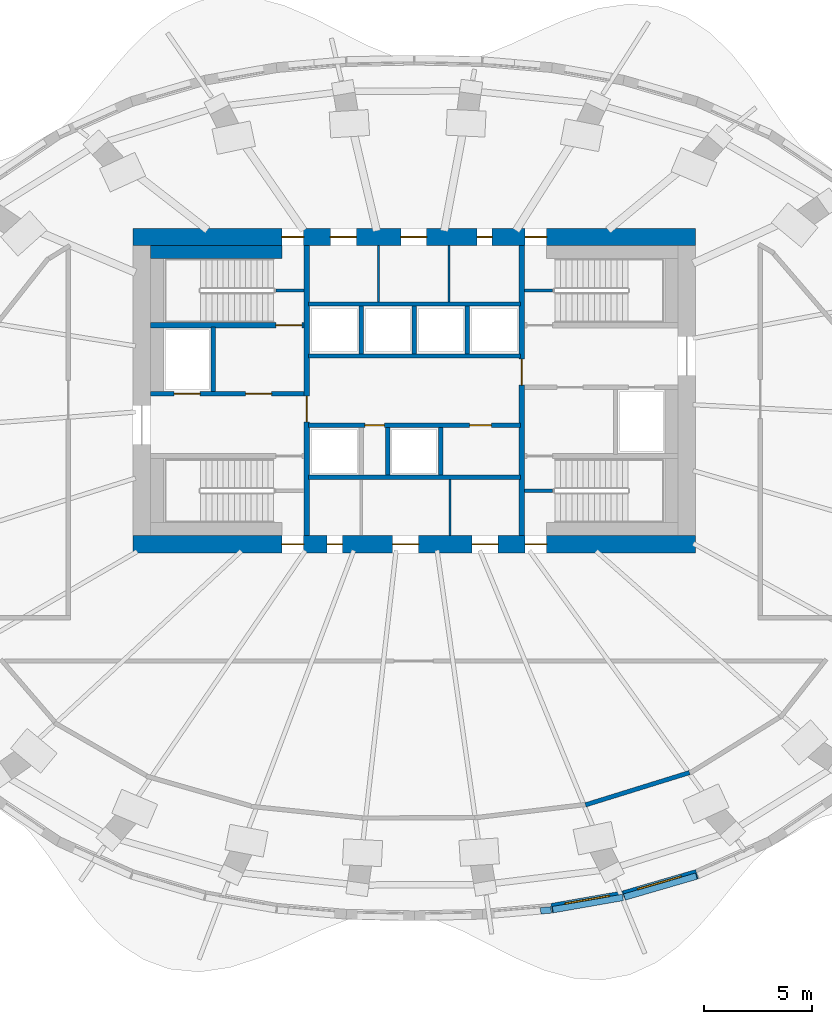
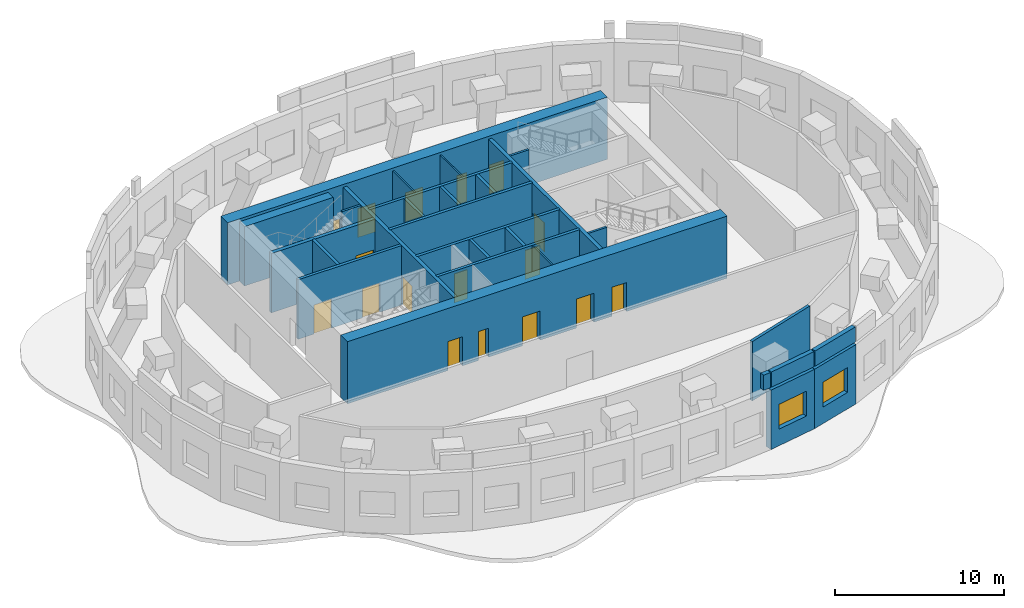
# One storey, part 5 of 9: 29 walls, 17 doors, 2 windows, 19 openings.
"""IFC4 building model written with IfcOpenShell, lengths in metres."""

from ifc_helpers import new_model, si_unit, direction, frame, frame_2d, origin, place, context, subcontext, project, spatial, rectangle, extrude, material, layer, layer_set, type_object, element, fill, save


model = new_model("IFC4")

# Units and contexts
model_context = context("Model", 3, precision=1e-05, world=origin(), true_north=direction((0.0, 1.0)))
body_context = subcontext(model_context, "Body", "Model", "MODEL_VIEW")
ifc_project = project(units=[si_unit("LENGTHUNIT", "METRE"), si_unit("AREAUNIT", "SQUARE_METRE"), si_unit("VOLUMEUNIT", "CUBIC_METRE"), si_unit("PLANEANGLEUNIT", "RADIAN"), si_unit("MASSUNIT", "GRAM", prefix="KILO")], contexts=[model_context])

# Site, building, storey
site_placement = place(None, origin())
site = spatial("IfcSite", under=ifc_project, at=site_placement, CompositionType="ELEMENT")
building_placement = place(site_placement, origin())
building = spatial("IfcBuilding", under=site, at=building_placement, Name="Rubra Terraces Tower", CompositionType="ELEMENT")
storey_placement = place(building_placement, frame((0.0, 0.0, 264.300048828125)))
storey = spatial("IfcBuildingStorey", under=building, at=storey_placement, Name="L65", CompositionType="ELEMENT", Elevation=264.300048828125)

# Wall, opening, window
ifc_material_1 = material(Name="Brick masonry red-brown", Category="masonry")
ifc_layer_1 = layer(ifc_material_1, 0.449951171875)
ifc_layer_set_1 = layer_set([ifc_layer_1], Name="Brick masonry red-brown")
wall_type_1 = type_object("IfcWallType", Name="Brick facade wall 450", PredefinedType="SOLIDWALL", material=ifc_layer_set_1)
wall_1_placement = place(storey_placement, frame((6.34619140625, -19.430419921875, 0.0), z_axis=(0.0, 0.0, 1.0), x_axis=(0.984975558514, 0.172693801654, 0.0)))
wall_1 = element("IfcWall", 1, at=wall_1_placement, inside=storey, type_object=wall_type_1, Name="Facade wall L65 bay 33", PredefinedType="SOLIDWALL", context=body_context, shape_type="SweptSolid", body=[
    extrude(rectangle(XDim=3.381591796875, YDim=0.449951171875, at=frame_2d((1.69091796875, 0.0))), origin(), (0.0, 0.0, 1.0), 4.300048828125),
])
opening_1_placement = place(wall_1_placement, frame((0.640869140625, 0.0, 1.199951171875)))
opening_1 = element("IfcOpeningElement", 2, at=opening_1_placement, cuts=wall_1, Name="Opening W4", PredefinedType="OPENING", context=body_context, shape_type="SweptSolid", body=[
    extrude(rectangle(XDim=2.10009765625, YDim=1.800048828125, at=frame_2d((1.050048828125, 0.89990234375))), frame((0.0, 0.23486328125, 0.0), z_axis=(0.0, -1.0, 0.0), x_axis=(1.0, 0.0, 0.0)), (0.0, 0.0, 1.0), 0.469970703125),
])
ifc_material_2 = material(Name="Clear glass in aluminium frame", Category="aluminium")
window_type = type_object("IfcWindowType", Name="Louvred plant window 2100 x 1800", PartitioningType="SINGLE_PANEL", PredefinedType="WINDOW", material=ifc_material_2)
window_1_placement = place(opening_1_placement, origin())
window_1 = element("IfcWindow", 3, at=window_1_placement, inside=storey, type_object=window_type, Name="Window L65 bay 33", OverallHeight=1.800048828125, OverallWidth=2.10009765625, PartitioningType="SINGLE_PANEL", PredefinedType="WINDOW", context=body_context, shape_type="SweptSolid", body=[
    extrude(rectangle(XDim=2.10009765625, YDim=1.800048828125, at=frame_2d((1.050048828125, 0.89990234375))), frame((0.0, 0.135009765625, 0.0), z_axis=(0.0, -1.0, 0.0), x_axis=(1.0, 0.0, 0.0)), (0.0, 0.0, 1.0), 0.06005859375),
])
fill(opening_1, window_1)

wall_2_placement = place(storey_placement, frame((9.653076171875, -18.85205078125, 0.0), z_axis=(0.0, 0.0, 1.0), x_axis=(0.96014440171, 0.27950443264, 0.0)))
wall_2 = element("IfcWall", 4, at=wall_2_placement, inside=storey, type_object=wall_type_1, Name="Facade wall L65 bay 34", PredefinedType="SOLIDWALL", context=body_context, shape_type="SweptSolid", body=[
    extrude(rectangle(XDim=3.556884765625, YDim=0.449951171875, at=frame_2d((1.7783203125, 0.0))), origin(), (0.0, 0.0, 1.0), 4.300048828125),
])
opening_2_placement = place(wall_2_placement, frame((0.728515625, 0.0, 1.199951171875)))
opening_2 = element("IfcOpeningElement", 5, at=opening_2_placement, cuts=wall_2, Name="Opening W4", PredefinedType="OPENING", context=body_context, shape_type="SweptSolid", body=[
    extrude(rectangle(XDim=2.10009765625, YDim=1.800048828125, at=frame_2d((1.050048828125, 0.89990234375))), frame((0.0, 0.23486328125, 0.0), z_axis=(0.0, -1.0, 0.0), x_axis=(1.0, 0.0, 0.0)), (0.0, 0.0, 1.0), 0.469970703125),
])
window_2_placement = place(opening_2_placement, origin())
window_2 = element("IfcWindow", 6, at=window_2_placement, inside=storey, type_object=window_type, Name="Window L65 bay 34", OverallHeight=1.800048828125, OverallWidth=2.10009765625, PartitioningType="SINGLE_PANEL", PredefinedType="WINDOW", context=body_context, shape_type="SweptSolid", body=[
    extrude(rectangle(XDim=2.10009765625, YDim=1.800048828125, at=frame_2d((1.050048828125, 0.89990234375))), frame((0.0, 0.135009765625, 0.0), z_axis=(0.0, -1.0, 0.0), x_axis=(1.0, 0.0, 0.0)), (0.0, 0.0, 1.0), 0.06005859375),
])
fill(opening_2, window_2)

# Walls
ifc_layer_2 = layer(ifc_material_1, 0.300048828125)
ifc_layer_set_2 = layer_set([ifc_layer_2], Name="Brick masonry red-brown")
wall_type_2 = type_object("IfcWallType", Name="Brick parapet 300", PredefinedType="PARAPET", material=ifc_layer_set_2)
wall_3_placement = place(storey_placement, frame((5.841796875, -19.548583984375, 4.5), z_axis=(0.0, 0.0, 1.0), x_axis=(0.996264896687, 0.086349612789, 0.0)))
element("IfcWall", 7, at=wall_3_placement, inside=storey, type_object=wall_type_2, Name="Parapet L65 bay 32", PredefinedType="PARAPET", context=body_context, shape_type="SweptSolid", body=[
    extrude(rectangle(XDim=0.489013671875, YDim=0.300048828125, at=frame_2d((0.24462890625, 0.0))), origin(), (0.0, 0.0, 1.0), 1.099853515625),
])
wall_4_placement = place(storey_placement, frame((6.401611328125, -19.496826171875, 4.5), z_axis=(0.0, 0.0, 1.0), x_axis=(0.984971857125, 0.172714911553, 0.0)))
element("IfcWall", 8, at=wall_4_placement, inside=storey, type_object=wall_type_2, Name="Parapet L65 bay 33", PredefinedType="PARAPET", context=body_context, shape_type="SweptSolid", body=[
    extrude(rectangle(XDim=3.292236328125, YDim=0.300048828125, at=frame_2d((1.64599609375, 0.0))), origin(), (0.0, 0.0, 1.0), 1.099853515625),
])
wall_5_placement = place(storey_placement, frame((9.71875, -18.910888671875, 4.5), z_axis=(0.0, 0.0, 1.0), x_axis=(0.960153987317, 0.279471502372, 0.0)))
element("IfcWall", 9, at=wall_5_placement, inside=storey, type_object=wall_type_2, Name="Parapet L65 bay 34", PredefinedType="PARAPET", context=body_context, shape_type="SweptSolid", body=[
    extrude(rectangle(XDim=3.45947265625, YDim=0.300048828125, at=frame_2d((1.729736328125, 0.0))), origin(), (0.0, 0.0, 1.0), 1.099853515625),
])

# Wall, openings, doors
ifc_material_3 = material(Name="Concrete C50", Category="concrete")
ifc_layer_3 = layer(ifc_material_3, 0.800048828125)
ifc_layer_set_3 = layer_set([ifc_layer_3], Name="Concrete C50")
wall_type_3 = type_object("IfcWallType", Name="CORE WALL 800 C50", PredefinedType="SHEAR", material=ifc_layer_set_3)
wall_6_placement = place(storey_placement, frame((-13.0, 11.60009765625, 0.0), z_axis=(0.0, 0.0, 1.0), x_axis=(1.0, 0.0, 0.0)))
wall_6 = element("IfcWall", 10, at=wall_6_placement, inside=storey, type_object=wall_type_3, Name="CORE WALL N L65", PredefinedType="SHEAR", context=body_context, shape_type="SweptSolid", body=[
    extrude(rectangle(XDim=26.0, YDim=0.800048828125, at=frame_2d((13.0, 0.0))), origin(), (0.0, 0.0, 1.0), 4.5),
])
opening_3_placement = place(wall_6_placement, frame((9.125, 0.0, 0.0)))
opening_3 = element("IfcOpeningElement", 11, at=opening_3_placement, cuts=wall_6, Name="Opening L65.C18", PredefinedType="OPENING", context=body_context, shape_type="SweptSolid", body=[
    extrude(rectangle(XDim=1.199951171875, YDim=2.10009765625, at=frame_2d((0.60009765625, 1.050048828125))), frame((0.0, 0.409912109375, 0.0), z_axis=(0.0, -1.0, 0.0), x_axis=(1.0, 0.0, 0.0)), (0.0, 0.0, 1.0), 0.820068359375),
])
opening_4_placement = place(wall_6_placement, frame((12.375, 0.0, 0.0)))
opening_4 = element("IfcOpeningElement", 12, at=opening_4_placement, cuts=wall_6, Name="Opening L65.C19", PredefinedType="OPENING", context=body_context, shape_type="SweptSolid", body=[
    extrude(rectangle(XDim=1.199951171875, YDim=2.10009765625, at=frame_2d((0.60009765625, 1.050048828125))), frame((0.0, 0.409912109375, 0.0), z_axis=(0.0, -1.0, 0.0), x_axis=(1.0, 0.0, 0.0)), (0.0, 0.0, 1.0), 0.820068359375),
])
opening_5_placement = place(wall_6_placement, frame((15.89990234375, 0.0, 0.0)))
opening_5 = element("IfcOpeningElement", 13, at=opening_5_placement, cuts=wall_6, Name="Opening L65.C20", PredefinedType="OPENING", context=body_context, shape_type="SweptSolid", body=[
    extrude(rectangle(XDim=0.699951171875, YDim=2.10009765625, at=frame_2d((0.35009765625, 1.050048828125))), frame((0.0, 0.409912109375, 0.0), z_axis=(0.0, -1.0, 0.0), x_axis=(1.0, 0.0, 0.0)), (0.0, 0.0, 1.0), 0.820068359375),
])
opening_6_placement = place(wall_6_placement, frame((6.8798828125, 0.0, 0.0)))
opening_6 = element("IfcOpeningElement", 14, at=opening_6_placement, cuts=wall_6, Name="Opening L65.C22", PredefinedType="OPENING", context=body_context, shape_type="SweptSolid", body=[
    extrude(rectangle(XDim=1.0, YDim=2.10009765625, at=frame_2d((0.5, 1.050048828125))), frame((0.0, 0.409912109375, 0.0), z_axis=(0.0, -1.0, 0.0), x_axis=(1.0, 0.0, 0.0)), (0.0, 0.0, 1.0), 0.820068359375),
])
opening_7_placement = place(wall_6_placement, frame((18.1201171875, 0.0, 0.0)))
opening_7 = element("IfcOpeningElement", 15, at=opening_7_placement, cuts=wall_6, Name="Opening L65.C23", PredefinedType="OPENING", context=body_context, shape_type="SweptSolid", body=[
    extrude(rectangle(XDim=1.0, YDim=2.10009765625, at=frame_2d((0.5, 1.050048828125))), frame((0.0, 0.409912109375, 0.0), z_axis=(0.0, -1.0, 0.0), x_axis=(1.0, 0.0, 0.0)), (0.0, 0.0, 1.0), 0.820068359375),
])
ifc_material_4 = material(Name="Painted steel", Category="steel")
door_type_1 = type_object("IfcDoorType", Name="Fire door 1000x2100 single", OperationType="NOTDEFINED", PredefinedType="DOOR", material=ifc_material_4)
door_1_placement = place(opening_6_placement, origin())
door_1 = element("IfcDoor", 16, at=door_1_placement, inside=storey, type_object=door_type_1, Name="Stair S2 refuge door", OperationType="SINGLE_SWING_RIGHT", OverallHeight=2.10009765625, OverallWidth=1.0, PredefinedType="DOOR", context=body_context, shape_type="SweptSolid", body=[
    extrude(rectangle(XDim=1.0, YDim=2.10009765625, at=frame_2d((0.5, 1.050048828125))), frame((0.0, 0.02490234375, 0.0), z_axis=(0.0, -1.0, 0.0), x_axis=(1.0, 0.0, 0.0)), (0.0, 0.0, 1.0), 0.050048828125),
])
fill(opening_6, door_1)
door_2_placement = place(opening_7_placement, origin())
door_2 = element("IfcDoor", 17, at=door_2_placement, inside=storey, type_object=door_type_1, Name="Stair S3 refuge door", OperationType="SINGLE_SWING_LEFT", OverallHeight=2.10009765625, OverallWidth=1.0, PredefinedType="DOOR", context=body_context, shape_type="SweptSolid", body=[
    extrude(rectangle(XDim=1.0, YDim=2.10009765625, at=frame_2d((0.5, 1.050048828125))), frame((0.0, 0.02490234375, 0.0), z_axis=(0.0, -1.0, 0.0), x_axis=(1.0, 0.0, 0.0)), (0.0, 0.0, 1.0), 0.050048828125),
])
fill(opening_7, door_2)
door_type_2 = type_object("IfcDoorType", Name="Fire door 1200x2100 single", OperationType="NOTDEFINED", PredefinedType="DOOR", material=ifc_material_4)
door_3_placement = place(opening_3_placement, origin())
door_3 = element("IfcDoor", 18, at=door_3_placement, inside=storey, type_object=door_type_2, Name="Air handling plant room door", OperationType="SINGLE_SWING_RIGHT", OverallHeight=2.10009765625, OverallWidth=1.199951171875, PredefinedType="DOOR", context=body_context, shape_type="SweptSolid", body=[
    extrude(rectangle(XDim=1.199951171875, YDim=2.10009765625, at=frame_2d((0.60009765625, 1.050048828125))), frame((0.0, 0.02490234375, 0.0), z_axis=(0.0, -1.0, 0.0), x_axis=(1.0, 0.0, 0.0)), (0.0, 0.0, 1.0), 0.050048828125),
])
fill(opening_3, door_3)
door_4_placement = place(opening_4_placement, origin())
door_4 = element("IfcDoor", 19, at=door_4_placement, inside=storey, type_object=door_type_2, Name="Air handling plant room door", OperationType="SINGLE_SWING_LEFT", OverallHeight=2.10009765625, OverallWidth=1.199951171875, PredefinedType="DOOR", context=body_context, shape_type="SweptSolid", body=[
    extrude(rectangle(XDim=1.199951171875, YDim=2.10009765625, at=frame_2d((0.60009765625, 1.050048828125))), frame((0.0, 0.02490234375, 0.0), z_axis=(0.0, -1.0, 0.0), x_axis=(1.0, 0.0, 0.0)), (0.0, 0.0, 1.0), 0.050048828125),
])
fill(opening_4, door_4)
door_type_3 = type_object("IfcDoorType", Name="Riser access door 700x2100 single", OperationType="NOTDEFINED", PredefinedType="DOOR", material=ifc_material_4)
door_5_placement = place(opening_5_placement, origin())
door_5 = element("IfcDoor", 20, at=door_5_placement, inside=storey, type_object=door_type_3, Name="M&E riser room door", OperationType="SINGLE_SWING_RIGHT", OverallHeight=2.10009765625, OverallWidth=0.699951171875, PredefinedType="DOOR", context=body_context, shape_type="SweptSolid", body=[
    extrude(rectangle(XDim=0.699951171875, YDim=2.10009765625, at=frame_2d((0.35009765625, 1.050048828125))), frame((0.0, 0.02490234375, 0.0), z_axis=(0.0, -1.0, 0.0), x_axis=(1.0, 0.0, 0.0)), (0.0, 0.0, 1.0), 0.050048828125),
])
fill(opening_5, door_5)

wall_7_placement = place(storey_placement, frame((-13.0, -2.60009765625, 0.0), z_axis=(0.0, 0.0, 1.0), x_axis=(1.0, 0.0, 0.0)))
wall_7 = element("IfcWall", 21, at=wall_7_placement, inside=storey, type_object=wall_type_3, Name="CORE WALL S L65", PredefinedType="SHEAR", context=body_context, shape_type="SweptSolid", body=[
    extrude(rectangle(XDim=26.0, YDim=0.800048828125, at=frame_2d((13.0, 0.0))), origin(), (0.0, 0.0, 1.0), 4.5),
])
opening_8_placement = place(wall_7_placement, frame((8.97509765625, 0.0, 0.0)))
opening_8 = element("IfcOpeningElement", 22, at=opening_8_placement, cuts=wall_7, Name="Opening L65.C15", PredefinedType="OPENING", context=body_context, shape_type="SweptSolid", body=[
    extrude(rectangle(XDim=0.699951171875, YDim=2.10009765625, at=frame_2d((0.35009765625, 1.050048828125))), frame((0.0, 0.409912109375, 0.0), z_axis=(0.0, -1.0, 0.0), x_axis=(1.0, 0.0, 0.0)), (0.0, 0.0, 1.0), 0.820068359375),
])
opening_9_placement = place(wall_7_placement, frame((12.0, 0.0, 0.0)))
opening_9 = element("IfcOpeningElement", 23, at=opening_9_placement, cuts=wall_7, Name="Opening L65.C16", PredefinedType="OPENING", context=body_context, shape_type="SweptSolid", body=[
    extrude(rectangle(XDim=1.199951171875, YDim=2.10009765625, at=frame_2d((0.60009765625, 1.050048828125))), frame((0.0, 0.409912109375, 0.0), z_axis=(0.0, -1.0, 0.0), x_axis=(1.0, 0.0, 0.0)), (0.0, 0.0, 1.0), 0.820068359375),
])
opening_10_placement = place(wall_7_placement, frame((15.675048828125, 0.0, 0.0)))
opening_10 = element("IfcOpeningElement", 24, at=opening_10_placement, cuts=wall_7, Name="Opening L65.C17", PredefinedType="OPENING", context=body_context, shape_type="SweptSolid", body=[
    extrude(rectangle(XDim=1.199951171875, YDim=2.10009765625, at=frame_2d((0.60009765625, 1.050048828125))), frame((0.0, 0.409912109375, 0.0), z_axis=(0.0, -1.0, 0.0), x_axis=(1.0, 0.0, 0.0)), (0.0, 0.0, 1.0), 0.820068359375),
])
opening_11_placement = place(wall_7_placement, frame((6.8798828125, 0.0, 0.0)))
opening_11 = element("IfcOpeningElement", 25, at=opening_11_placement, cuts=wall_7, Name="Opening L65.C21", PredefinedType="OPENING", context=body_context, shape_type="SweptSolid", body=[
    extrude(rectangle(XDim=1.0, YDim=2.10009765625, at=frame_2d((0.5, 1.050048828125))), frame((0.0, 0.409912109375, 0.0), z_axis=(0.0, -1.0, 0.0), x_axis=(1.0, 0.0, 0.0)), (0.0, 0.0, 1.0), 0.820068359375),
])
opening_12_placement = place(wall_7_placement, frame((18.1201171875, 0.0, 0.0)))
opening_12 = element("IfcOpeningElement", 26, at=opening_12_placement, cuts=wall_7, Name="Opening L65.C24", PredefinedType="OPENING", context=body_context, shape_type="SweptSolid", body=[
    extrude(rectangle(XDim=1.0, YDim=2.10009765625, at=frame_2d((0.5, 1.050048828125))), frame((0.0, 0.409912109375, 0.0), z_axis=(0.0, -1.0, 0.0), x_axis=(1.0, 0.0, 0.0)), (0.0, 0.0, 1.0), 0.820068359375),
])
door_6_placement = place(opening_11_placement, origin())
door_6 = element("IfcDoor", 27, at=door_6_placement, inside=storey, type_object=door_type_1, Name="Stair S1 refuge door", OperationType="SINGLE_SWING_LEFT", OverallHeight=2.10009765625, OverallWidth=1.0, PredefinedType="DOOR", context=body_context, shape_type="SweptSolid", body=[
    extrude(rectangle(XDim=1.0, YDim=2.10009765625, at=frame_2d((0.5, 1.050048828125))), frame((0.0, 0.02490234375, 0.0), z_axis=(0.0, -1.0, 0.0), x_axis=(1.0, 0.0, 0.0)), (0.0, 0.0, 1.0), 0.050048828125),
])
fill(opening_11, door_6)
door_7_placement = place(opening_12_placement, origin())
door_7 = element("IfcDoor", 28, at=door_7_placement, inside=storey, type_object=door_type_1, Name="Stair S4 refuge door", OperationType="SINGLE_SWING_RIGHT", OverallHeight=2.10009765625, OverallWidth=1.0, PredefinedType="DOOR", context=body_context, shape_type="SweptSolid", body=[
    extrude(rectangle(XDim=1.0, YDim=2.10009765625, at=frame_2d((0.5, 1.050048828125))), frame((0.0, 0.02490234375, 0.0), z_axis=(0.0, -1.0, 0.0), x_axis=(1.0, 0.0, 0.0)), (0.0, 0.0, 1.0), 0.050048828125),
])
fill(opening_12, door_7)
door_8_placement = place(opening_9_placement, origin())
door_8 = element("IfcDoor", 29, at=door_8_placement, inside=storey, type_object=door_type_2, Name="Air handling plant room door", OperationType="SINGLE_SWING_RIGHT", OverallHeight=2.10009765625, OverallWidth=1.199951171875, PredefinedType="DOOR", context=body_context, shape_type="SweptSolid", body=[
    extrude(rectangle(XDim=1.199951171875, YDim=2.10009765625, at=frame_2d((0.60009765625, 1.050048828125))), frame((0.0, 0.02490234375, 0.0), z_axis=(0.0, -1.0, 0.0), x_axis=(1.0, 0.0, 0.0)), (0.0, 0.0, 1.0), 0.050048828125),
])
fill(opening_9, door_8)
door_9_placement = place(opening_10_placement, origin())
door_9 = element("IfcDoor", 30, at=door_9_placement, inside=storey, type_object=door_type_2, Name="Standby generator room door", OperationType="SINGLE_SWING_LEFT", OverallHeight=2.10009765625, OverallWidth=1.199951171875, PredefinedType="DOOR", context=body_context, shape_type="SweptSolid", body=[
    extrude(rectangle(XDim=1.199951171875, YDim=2.10009765625, at=frame_2d((0.60009765625, 1.050048828125))), frame((0.0, 0.02490234375, 0.0), z_axis=(0.0, -1.0, 0.0), x_axis=(1.0, 0.0, 0.0)), (0.0, 0.0, 1.0), 0.050048828125),
])
fill(opening_10, door_9)
door_10_placement = place(opening_8_placement, origin())
door_10 = element("IfcDoor", 31, at=door_10_placement, inside=storey, type_object=door_type_3, Name="M&E riser room door", OperationType="SINGLE_SWING_LEFT", OverallHeight=2.10009765625, OverallWidth=0.699951171875, PredefinedType="DOOR", context=body_context, shape_type="SweptSolid", body=[
    extrude(rectangle(XDim=0.699951171875, YDim=2.10009765625, at=frame_2d((0.35009765625, 1.050048828125))), frame((0.0, 0.02490234375, 0.0), z_axis=(0.0, -1.0, 0.0), x_axis=(1.0, 0.0, 0.0)), (0.0, 0.0, 1.0), 0.050048828125),
])
fill(opening_8, door_10)

# Wall
ifc_material_5 = material(Name="Concrete C40", Category="concrete")
ifc_layer_4 = layer(ifc_material_5, 0.60009765625)
ifc_layer_set_4 = layer_set([ifc_layer_4], Name="Concrete C40")
wall_type_4 = type_object("IfcWallType", Name="Core lining wall 600 concrete", PredefinedType="SOLIDWALL", material=ifc_layer_set_4)
wall_8_placement = place(storey_placement, frame((-12.199951171875, 10.89990234375, 0.0), z_axis=(0.0, 0.0, 1.0), x_axis=(1.0, 0.0, 0.0)))
element("IfcWall", 32, at=wall_8_placement, inside=storey, type_object=wall_type_4, Name="CORE LINING WALL L65", PredefinedType="SOLIDWALL", context=body_context, shape_type="SweptSolid", body=[
    extrude(rectangle(XDim=6.079833984375, YDim=0.60009765625, at=frame_2d((3.0400390625, 0.0))), origin(), (0.0, 0.0, 1.0), 4.300048828125),
])

# Wall, openings, doors
ifc_material_6 = material(Name="Concrete C30", Category="concrete")
ifc_layer_5 = layer(ifc_material_6, 0.199951171875)
ifc_layer_set_5 = layer_set([ifc_layer_5], Name="Concrete C30")
wall_type_5 = type_object("IfcWallType", Name="Core wall 200 concrete", PredefinedType="SOLIDWALL", material=ifc_layer_set_5)
wall_9_placement = place(storey_placement, frame((-12.199951171875, 4.35009765625, 0.0), z_axis=(0.0, 0.0, 1.0), x_axis=(1.0, 0.0, 0.0)))
wall_9 = element("IfcWall", 33, at=wall_9_placement, inside=storey, type_object=wall_type_5, Name="STAIR WALL L65", PredefinedType="SOLIDWALL", context=body_context, shape_type="SweptSolid", body=[
    extrude(rectangle(XDim=7.099853515625, YDim=0.199951171875, at=frame_2d((3.5498046875, 0.0))), origin(), (0.0, 0.0, 1.0), 4.300048828125),
])
opening_13_placement = place(wall_9_placement, frame((4.39990234375, 0.0, 0.0)))
opening_13 = element("IfcOpeningElement", 34, at=opening_13_placement, cuts=wall_9, Name="Opening L65.C05", PredefinedType="OPENING", context=body_context, shape_type="SweptSolid", body=[
    extrude(rectangle(XDim=1.199951171875, YDim=2.10009765625, at=frame_2d((0.60009765625, 1.050048828125))), frame((0.0, 0.10986328125, 0.0), z_axis=(0.0, -1.0, 0.0), x_axis=(1.0, 0.0, 0.0)), (0.0, 0.0, 1.0), 0.219970703125),
])
opening_14_placement = place(wall_9_placement, frame((1.10009765625, 0.0, 0.0)))
opening_14 = element("IfcOpeningElement", 35, at=opening_14_placement, cuts=wall_9, Name="Opening L65.C11", PredefinedType="OPENING", context=body_context, shape_type="SweptSolid", body=[
    extrude(rectangle(XDim=1.199951171875, YDim=2.10009765625, at=frame_2d((0.60009765625, 1.050048828125))), frame((0.0, 0.10986328125, 0.0), z_axis=(0.0, -1.0, 0.0), x_axis=(1.0, 0.0, 0.0)), (0.0, 0.0, 1.0), 0.219970703125),
])
door_11_placement = place(opening_13_placement, origin())
door_11 = element("IfcDoor", 36, at=door_11_placement, inside=storey, type_object=door_type_2, Name="Stair vestibule door S2", OperationType="SINGLE_SWING_LEFT", OverallHeight=2.10009765625, OverallWidth=1.199951171875, PredefinedType="DOOR", context=body_context, shape_type="SweptSolid", body=[
    extrude(rectangle(XDim=1.199951171875, YDim=2.10009765625, at=frame_2d((0.60009765625, 1.050048828125))), frame((0.0, 0.02490234375, 0.0), z_axis=(0.0, -1.0, 0.0), x_axis=(1.0, 0.0, 0.0)), (0.0, 0.0, 1.0), 0.050048828125),
])
fill(opening_13, door_11)
ifc_material_7 = material(Name="Stainless steel", Category="steel")
door_type_4 = type_object("IfcDoorType", Name="Lift landing door 1200x2100", OperationType="NOTDEFINED", PredefinedType="DOOR", material=ifc_material_7)
door_12_placement = place(opening_14_placement, origin())
door_12 = element("IfcDoor", 37, at=door_12_placement, inside=storey, type_object=door_type_4, Name="Landing door FF1", OperationType="SLIDING_TO_RIGHT", OverallHeight=2.10009765625, OverallWidth=1.199951171875, PredefinedType="DOOR", context=body_context, shape_type="SweptSolid", body=[
    extrude(rectangle(XDim=1.199951171875, YDim=2.10009765625, at=frame_2d((0.60009765625, 1.050048828125))), frame((0.0, 0.02490234375, 0.0), z_axis=(0.0, -1.0, 0.0), x_axis=(1.0, 0.0, 0.0)), (0.0, 0.0, 1.0), 0.050048828125),
])
fill(opening_14, door_12)

# Walls
wall_10_placement = place(storey_placement, frame((-9.300048828125, 4.449951171875, 0.0), z_axis=(0.0, 0.0, 1.0), x_axis=(0.0, 1.0, 0.0)))
element("IfcWall", 38, at=wall_10_placement, inside=storey, type_object=wall_type_5, Name="STAIR WALL L65", PredefinedType="SOLIDWALL", context=body_context, shape_type="SweptSolid", body=[
    extrude(rectangle(XDim=3.0, YDim=0.199951171875, at=frame_2d((1.5, 0.0))), origin(), (0.0, 0.0, 1.0), 4.300048828125),
])
wall_11_placement = place(storey_placement, frame((-4.89990234375, 0.5, 0.0), z_axis=(0.0, 0.0, 1.0), x_axis=(1.0, 0.0, 0.0)))
element("IfcWall", 39, at=wall_11_placement, inside=storey, type_object=wall_type_5, Name="LIFT SHAFT WALL L65", PredefinedType="SOLIDWALL", context=body_context, shape_type="SweptSolid", body=[
    extrude(rectangle(XDim=9.7998046875, YDim=0.199951171875, at=frame_2d((4.89990234375, 0.0))), origin(), (0.0, 0.0, 1.0), 4.300048828125),
])

# Wall, openings, doors
wall_12_placement = place(storey_placement, frame((-4.89990234375, 2.89990234375, 0.0), z_axis=(0.0, 0.0, 1.0), x_axis=(1.0, 0.0, 0.0)))
wall_12 = element("IfcWall", 40, at=wall_12_placement, inside=storey, type_object=wall_type_5, Name="LIFT SHAFT WALL L65", PredefinedType="SOLIDWALL", context=body_context, shape_type="SweptSolid", body=[
    extrude(rectangle(XDim=9.7998046875, YDim=0.199951171875, at=frame_2d((4.89990234375, 0.0))), origin(), (0.0, 0.0, 1.0), 4.300048828125),
])
opening_15_placement = place(wall_12_placement, frame((2.613037109375, 0.0, 0.0)))
opening_15 = element("IfcOpeningElement", 41, at=opening_15_placement, cuts=wall_12, Name="Opening L65.C13", PredefinedType="OPENING", context=body_context, shape_type="SweptSolid", body=[
    extrude(rectangle(XDim=0.89990234375, YDim=2.10009765625, at=frame_2d((0.449951171875, 1.050048828125))), frame((0.0, 0.10986328125, 0.0), z_axis=(0.0, -1.0, 0.0), x_axis=(1.0, 0.0, 0.0)), (0.0, 0.0, 1.0), 0.219970703125),
])
opening_16_placement = place(wall_12_placement, frame((7.462890625, 0.0, 0.0)))
opening_16 = element("IfcOpeningElement", 42, at=opening_16_placement, cuts=wall_12, Name="Opening L65.C14", PredefinedType="OPENING", context=body_context, shape_type="SweptSolid", body=[
    extrude(rectangle(XDim=1.0, YDim=2.10009765625, at=frame_2d((0.5, 1.050048828125))), frame((0.0, 0.10986328125, 0.0), z_axis=(0.0, -1.0, 0.0), x_axis=(1.0, 0.0, 0.0)), (0.0, 0.0, 1.0), 0.219970703125),
])
door_13_placement = place(opening_16_placement, origin())
door_13 = element("IfcDoor", 43, at=door_13_placement, inside=storey, type_object=door_type_1, Name="General store door", OperationType="SINGLE_SWING_RIGHT", OverallHeight=2.10009765625, OverallWidth=1.0, PredefinedType="DOOR", context=body_context, shape_type="SweptSolid", body=[
    extrude(rectangle(XDim=1.0, YDim=2.10009765625, at=frame_2d((0.5, 1.050048828125))), frame((0.0, 0.02490234375, 0.0), z_axis=(0.0, -1.0, 0.0), x_axis=(1.0, 0.0, 0.0)), (0.0, 0.0, 1.0), 0.050048828125),
])
fill(opening_16, door_13)
door_type_5 = type_object("IfcDoorType", Name="Fire door 900x2100 single", OperationType="NOTDEFINED", PredefinedType="DOOR", material=ifc_material_4)
door_14_placement = place(opening_15_placement, origin())
door_14 = element("IfcDoor", 44, at=door_14_placement, inside=storey, type_object=door_type_5, Name="Cleaner's store door", OperationType="SINGLE_SWING_LEFT", OverallHeight=2.10009765625, OverallWidth=0.89990234375, PredefinedType="DOOR", context=body_context, shape_type="SweptSolid", body=[
    extrude(rectangle(XDim=0.89990234375, YDim=2.10009765625, at=frame_2d((0.449951171875, 1.050048828125))), frame((0.0, 0.02490234375, 0.0), z_axis=(0.0, -1.0, 0.0), x_axis=(1.0, 0.0, 0.0)), (0.0, 0.0, 1.0), 0.050048828125),
])
fill(opening_15, door_14)

# Walls
for number, where, z_axis, x_axis, name in (
    (45, (-4.89990234375, 6.10009765625, 0.0), (0.0, 0.0, 1.0), (1.0, 0.0, 0.0), "LIFT SHAFT WALL L65"),
    (46, (-4.89990234375, 8.5, 0.0), (0.0, 0.0, 1.0), (1.0, 0.0, 0.0), "LIFT SHAFT WALL L65"),
):
    element("IfcWall", number, at=place(storey_placement, frame(where, z_axis=z_axis, x_axis=x_axis)), inside=storey, type_object=wall_type_5, Name=name, PredefinedType="SOLIDWALL", context=body_context, shape_type="SweptSolid", body=[
        extrude(rectangle(XDim=9.7998046875, YDim=0.199951171875, at=frame_2d((4.89990234375, 0.0))), origin(), (0.0, 0.0, 1.0), 4.300048828125),
    ])
for number, where, z_axis, x_axis, name in (
    (47, (-1.22509765625, 0.60009765625, 0.0), (0.0, 0.0, 1.0), (0.0, 1.0, 0.0), "LIFT SHAFT WALL L65"),
    (48, (1.22509765625, 0.60009765625, 0.0), (0.0, 0.0, 1.0), (0.0, 1.0, 0.0), "LIFT SHAFT WALL L65"),
    (49, (-2.449951171875, 6.199951171875, 0.0), (0.0, 0.0, 1.0), (0.0, 1.0, 0.0), "LIFT SHAFT WALL L65"),
    (50, (0.0, 6.199951171875, 0.0), (0.0, 0.0, 1.0), (0.0, 1.0, 0.0), "LIFT SHAFT WALL L65"),
    (51, (2.449951171875, 6.199951171875, 0.0), (0.0, 0.0, 1.0), (0.0, 1.0, 0.0), "LIFT SHAFT WALL L65"),
):
    element("IfcWall", number, at=place(storey_placement, frame(where, z_axis=z_axis, x_axis=x_axis)), inside=storey, type_object=wall_type_5, Name=name, PredefinedType="SOLIDWALL", context=body_context, shape_type="SweptSolid", body=[
        extrude(rectangle(XDim=2.199951171875, YDim=0.199951171875, at=frame_2d((1.10009765625, 0.0))), origin(), (0.0, 0.0, 1.0), 4.300048828125),
    ])
ifc_material_8 = material(Name="Blockwork", Category="masonry")
ifc_layer_6 = layer(ifc_material_8, 0.199951171875)
ifc_layer_set_6 = layer_set([ifc_layer_6], Name="Blockwork")
wall_type_6 = type_object("IfcWallType", Name="Corridor partition 200 blockwork", PredefinedType="PARTITIONING", material=ifc_layer_set_6)
wall_13_placement = place(storey_placement, frame((12.720947265625, -13.158935546875, 0.0), z_axis=(0.0, 0.0, 1.0), x_axis=(-0.955038559717, -0.296481617396, 0.0)))
element("IfcWall", 52, at=wall_13_placement, inside=storey, type_object=wall_type_6, Name="Partition wall", PredefinedType="PARTITIONING", context=body_context, shape_type="SweptSolid", body=[
    extrude(rectangle(XDim=5.0322265625, YDim=0.199951171875, at=frame_2d((2.51611328125, 0.0))), origin(), (0.0, 0.0, 1.0), 4.300048828125),
])
ifc_layer_7 = layer(ifc_material_8, 0.10009765625)
ifc_layer_set_7 = layer_set([ifc_layer_7], Name="Blockwork")
wall_type_7 = type_object("IfcWallType", Name="Service partition 100 blockwork", PredefinedType="PARTITIONING", material=ifc_layer_set_7)
for number, where, z_axis, x_axis, name in (
    (53, (1.64990234375, -2.199951171875, 0.0), (0.0, 0.0, 1.0), (0.0, 1.0, 0.0), "SERVICE ROOM PARTITION L65"),
    (54, (-1.64990234375, 8.60009765625, 0.0), (0.0, 0.0, 1.0), (0.0, 1.0, 0.0), "SERVICE ROOM PARTITION L65"),
    (55, (1.60009765625, 8.60009765625, 0.0), (0.0, 0.0, 1.0), (0.0, 1.0, 0.0), "SERVICE ROOM PARTITION L65"),
):
    element("IfcWall", number, at=place(storey_placement, frame(where, z_axis=z_axis, x_axis=x_axis)), inside=storey, type_object=wall_type_7, Name=name, PredefinedType="PARTITIONING", context=body_context, shape_type="SweptSolid", body=[
        extrude(rectangle(XDim=2.599853515625, YDim=0.10009765625, at=frame_2d((1.2998046875, 0.0))), origin(), (0.0, 0.0, 1.0), 4.300048828125),
    ])

# Wall, opening, door
ifc_layer_8 = layer(ifc_material_5, 0.25)
ifc_layer_set_8 = layer_set([ifc_layer_8], Name="Concrete C40")
wall_type_8 = type_object("IfcWallType", Name="Stair enclosure wall 250 concrete", PredefinedType="SOLIDWALL", material=ifc_layer_set_8)
wall_14_placement = place(storey_placement, frame((-12.199951171875, 7.52490234375, 0.0), z_axis=(0.0, 0.0, 1.0), x_axis=(1.0, 0.0, 0.0)))
wall_14 = element("IfcWall", 56, at=wall_14_placement, inside=storey, type_object=wall_type_8, Name="STAIR WALL L65", PredefinedType="SOLIDWALL", context=body_context, shape_type="SweptSolid", body=[
    extrude(rectangle(XDim=7.099853515625, YDim=0.25, at=frame_2d((3.5498046875, 0.0))), origin(), (0.0, 0.0, 1.0), 4.300048828125),
])
opening_17_placement = place(wall_14_placement, frame((5.800048828125, 0.0, 0.0)))
opening_17 = element("IfcOpeningElement", 57, at=opening_17_placement, cuts=wall_14, Name="Opening L65.C09", PredefinedType="OPENING", context=body_context, shape_type="SweptSolid", body=[
    extrude(rectangle(XDim=1.199951171875, YDim=2.10009765625, at=frame_2d((0.60009765625, 1.050048828125))), frame((0.0, 0.135009765625, 0.0), z_axis=(0.0, -1.0, 0.0), x_axis=(1.0, 0.0, 0.0)), (0.0, 0.0, 1.0), 0.27001953125),
])
door_15_placement = place(opening_17_placement, origin())
door_15 = element("IfcDoor", 58, at=door_15_placement, inside=storey, type_object=door_type_2, Name="Stair door S2", OperationType="SINGLE_SWING_LEFT", OverallHeight=2.10009765625, OverallWidth=1.199951171875, PredefinedType="DOOR", context=body_context, shape_type="SweptSolid", body=[
    extrude(rectangle(XDim=1.199951171875, YDim=2.10009765625, at=frame_2d((0.60009765625, 1.050048828125))), frame((0.0, 0.02490234375, 0.0), z_axis=(0.0, -1.0, 0.0), x_axis=(1.0, 0.0, 0.0)), (0.0, 0.0, 1.0), 0.050048828125),
])
fill(opening_17, door_15)

wall_15_placement = place(storey_placement, frame((-4.97509765625, -2.199951171875, 0.0), z_axis=(0.0, 0.0, 1.0), x_axis=(0.0, 1.0, 0.0)))
wall_15 = element("IfcWall", 59, at=wall_15_placement, inside=storey, type_object=wall_type_8, Name="CORE LOBBY WALL L65", PredefinedType="SOLIDWALL", context=body_context, shape_type="SweptSolid", body=[
    extrude(rectangle(XDim=13.39990234375, YDim=0.25, at=frame_2d((6.699951171875, 0.0))), origin(), (0.0, 0.0, 1.0), 4.300048828125),
])
opening_18_placement = place(wall_15_placement, frame((5.25, 0.0, 0.0)))
opening_18 = element("IfcOpeningElement", 60, at=opening_18_placement, cuts=wall_15, Name="Opening L65.C03", PredefinedType="OPENING", context=body_context, shape_type="SweptSolid", body=[
    extrude(rectangle(XDim=1.199951171875, YDim=2.10009765625, at=frame_2d((0.60009765625, 1.050048828125))), frame((0.0, 0.135009765625, 0.0), z_axis=(0.0, -1.0, 0.0), x_axis=(1.0, 0.0, 0.0)), (0.0, 0.0, 1.0), 0.27001953125),
])
door_16_placement = place(opening_18_placement, origin())
door_16 = element("IfcDoor", 61, at=door_16_placement, inside=storey, type_object=door_type_2, Name="Firefighting lobby door FF1", OperationType="SINGLE_SWING_LEFT", OverallHeight=2.10009765625, OverallWidth=1.199951171875, PredefinedType="DOOR", context=body_context, shape_type="SweptSolid", body=[
    extrude(rectangle(XDim=1.199951171875, YDim=2.10009765625, at=frame_2d((0.60009765625, 1.050048828125))), frame((0.0, 0.02490234375, 0.0), z_axis=(0.0, -1.0, 0.0), x_axis=(1.0, 0.0, 0.0)), (0.0, 0.0, 1.0), 0.050048828125),
])
fill(opening_18, door_16)

wall_16_placement = place(storey_placement, frame((4.97509765625, 11.199951171875, 0.0), z_axis=(0.0, 0.0, 1.0), x_axis=(0.0, -1.0, 0.0)))
wall_16 = element("IfcWall", 62, at=wall_16_placement, inside=storey, type_object=wall_type_8, Name="CORE LOBBY WALL L65", PredefinedType="SOLIDWALL", context=body_context, shape_type="SweptSolid", body=[
    extrude(rectangle(XDim=13.39990234375, YDim=0.25, at=frame_2d((6.699951171875, 0.0))), origin(), (0.0, 0.0, 1.0), 4.300048828125),
])
opening_19_placement = place(wall_16_placement, frame((5.25, 0.0, 0.0)))
opening_19 = element("IfcOpeningElement", 63, at=opening_19_placement, cuts=wall_16, Name="Opening L65.C04", PredefinedType="OPENING", context=body_context, shape_type="SweptSolid", body=[
    extrude(rectangle(XDim=1.199951171875, YDim=2.10009765625, at=frame_2d((0.60009765625, 1.050048828125))), frame((0.0, 0.135009765625, 0.0), z_axis=(0.0, -1.0, 0.0), x_axis=(1.0, 0.0, 0.0)), (0.0, 0.0, 1.0), 0.27001953125),
])
door_17_placement = place(opening_19_placement, origin())
door_17 = element("IfcDoor", 64, at=door_17_placement, inside=storey, type_object=door_type_2, Name="Firefighting lobby door FF2", OperationType="SINGLE_SWING_RIGHT", OverallHeight=2.10009765625, OverallWidth=1.199951171875, PredefinedType="DOOR", context=body_context, shape_type="SweptSolid", body=[
    extrude(rectangle(XDim=1.199951171875, YDim=2.10009765625, at=frame_2d((0.60009765625, 1.050048828125))), frame((0.0, 0.02490234375, 0.0), z_axis=(0.0, -1.0, 0.0), x_axis=(1.0, 0.0, 0.0)), (0.0, 0.0, 1.0), 0.050048828125),
])
fill(opening_19, door_17)

# Walls
ifc_layer_9 = layer(ifc_material_5, 0.14990234375)
ifc_layer_set_9 = layer_set([ifc_layer_9], Name="Concrete C40")
wall_type_9 = type_object("IfcWallType", Name="Stair separation wall 150 concrete", PredefinedType="SOLIDWALL", material=ifc_layer_set_9)
for number, where, z_axis, x_axis, name in (
    (65, (6.39990234375, 9.125, 0.0), (0.0, 0.0, 1.0), (-1.0, 0.0, 0.0), "STAIR SEPARATION WALL L65"),
    (66, (-6.39990234375, 9.125, 0.0), (0.0, 0.0, 1.0), (1.0, 0.0, 0.0), "STAIR SEPARATION WALL L65"),
    (67, (6.39990234375, -0.125, 0.0), (0.0, 0.0, 1.0), (-1.0, 0.0, 0.0), "STAIR SEPARATION WALL L65"),
):
    element("IfcWall", number, at=place(storey_placement, frame(where, z_axis=z_axis, x_axis=x_axis)), inside=storey, type_object=wall_type_9, Name=name, PredefinedType="SOLIDWALL", context=body_context, shape_type="SweptSolid", body=[
        extrude(rectangle(XDim=1.2998046875, YDim=0.14990234375, at=frame_2d((0.64990234375, 0.0))), origin(), (0.0, 0.0, 1.0), 4.300048828125),
    ])

save(model, "model.ifc")
